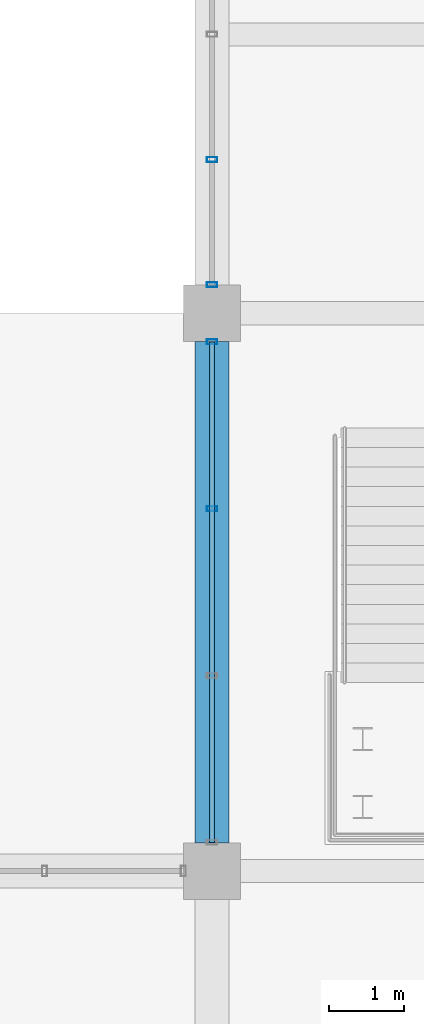
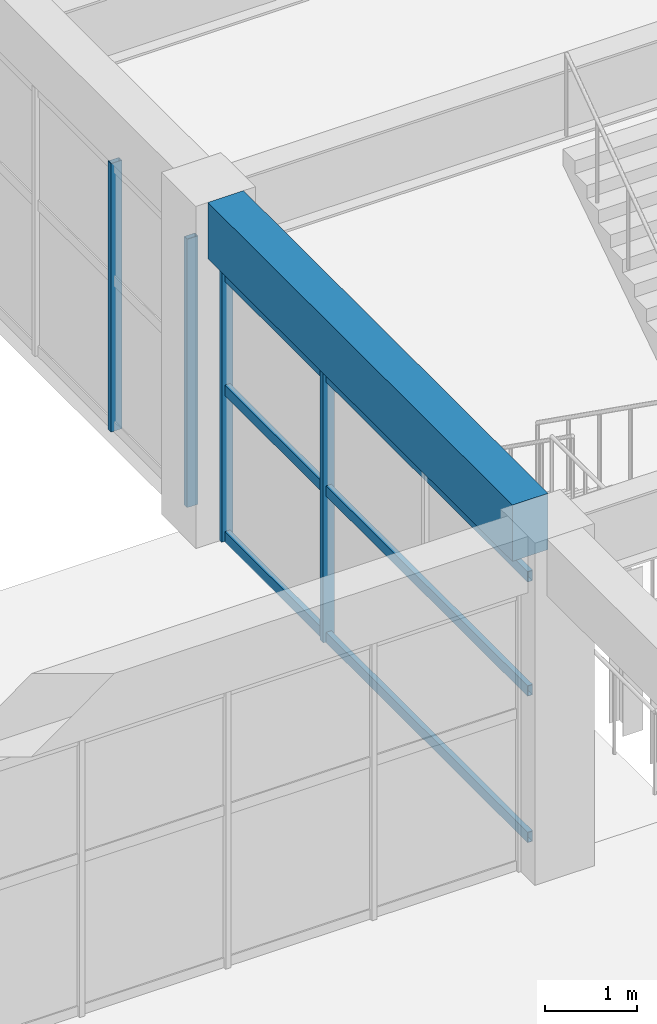
# One storey, part 46 of 161: 7 members, 1 beam, 2 elements without a shape of their own.
"""IFC4 building model written with IfcOpenShell, lengths in metres."""

from ifc_helpers import new_model, si_unit, direction, frame, origin, origin_2d, place, context, subcontext, project, spatial, rectangle, hollow_rectangle, extrude, material, material_profile, profile_set, type_object, element, aggregate, save


model = new_model("IFC4")

# Units and contexts
model_context = context("Model", 3, precision=1e-05, world=origin(), true_north=direction((0.0, 1.0)))
body_context = subcontext(model_context, "Body", "Model", "MODEL_VIEW")
ifc_project = project(units=[si_unit("LENGTHUNIT", "METRE"), si_unit("AREAUNIT", "SQUARE_METRE"), si_unit("VOLUMEUNIT", "CUBIC_METRE"), si_unit("PLANEANGLEUNIT", "RADIAN"), si_unit("MASSUNIT", "GRAM", prefix="KILO")], contexts=[model_context])

# Site, building, storey
site_placement = place(None, origin())
site = spatial("IfcSite", under=ifc_project, at=site_placement, CompositionType="ELEMENT")
building_placement = place(site_placement, origin())
building = spatial("IfcBuilding", under=site, at=building_placement, Name="Cimatlan Art Gallery", CompositionType="ELEMENT")
storey_placement = place(building_placement, frame((0.0, 0.0, 5.39990234375)))
storey = spatial("IfcBuildingStorey", under=building, at=storey_placement, Name="L01", CompositionType="ELEMENT", Elevation=5.39990234375)

# Beam
ifc_material_1 = material(Name="Concrete C40/50", Category="concrete")
ifc_material_profile_1 = material_profile(ifc_material_1, rectangle(XDim=0.449951171875, YDim=0.75, at=origin_2d()), Name="RC450X750")
ifc_profile_set_1 = profile_set([ifc_material_profile_1], Name="Concrete C40/50")
beam_type = type_object("IfcBeamType", Name="BM-RC-450X750", PredefinedType="BEAM", material=ifc_profile_set_1)
beam_placement = place(storey_placement, frame((74.89990234375, 39.074951171875, 4.18505859375), z_axis=(0.0, 1.0, 0.0), x_axis=(-1.0, 0.0, 0.0)))
element("IfcBeam", 1, at=beam_placement, inside=storey, type_object=beam_type, Name="BM-Y-L01-09-05", PredefinedType="BEAM", context=body_context, shape_type="SweptSolid", body=[
    extrude(rectangle(XDim=0.449951171875, YDim=0.75, at=origin_2d()), origin(), (0.0, 0.0, 1.0), 6.650146484375),
])

# Curtain wall, members
ifc_material_2 = material(Name="Anodised bronze unitised curtain wall")
curtain_wall_type_1 = type_object("IfcCurtainWallType", Name="CW-V-06642X03592-B3", PredefinedType="NOTDEFINED", material=ifc_material_2)
curtain_wall_1_placement = place(storey_placement, origin())
curtain_wall_1 = element("IfcCurtainWall", 2, at=curtain_wall_1_placement, inside=storey, type_object=curtain_wall_type_1, Name="CW-L01-09-05-W", PredefinedType="NOTDEFINED")
ifc_material_3 = material(Name="Anodised bronze aluminium 6063-T6", Category="aluminium")
ifc_material_profile_2 = material_profile(ifc_material_3, hollow_rectangle(XDim=0.06494140625, YDim=0.139892578125, WallThickness=0.00390625, at=origin_2d()), Name="ALU65X140X4")
ifc_profile_set_2 = profile_set([ifc_material_profile_2], Name="Anodised bronze aluminium 6063-T6")
member_type_1 = type_object("IfcMemberType", Name="CW-MUL-140", PredefinedType="MULLION", material=ifc_profile_set_2)
member_1_placement = place(storey_placement, frame((74.89990234375, 43.507080078125, 0.0), z_axis=(0.0, 0.0, 1.0), x_axis=(0.0, 1.0, 0.0)))
member_1 = element("IfcMember", 3, at=member_1_placement, type_object=member_type_1, Name="CW-L01-09-05-W-M3", PredefinedType="MULLION", context=body_context, shape_type="SweptSolid", body=[
    extrude(hollow_rectangle(XDim=0.06494140625, YDim=0.139892578125, WallThickness=0.00390625, at=origin_2d()), origin(), (0.0, 0.0, 1.0), 3.592041015625),
])
member_2_placement = place(storey_placement, frame((74.89990234375, 45.720947265625, 0.0), z_axis=(0.0, 0.0, 1.0), x_axis=(0.0, 1.0, 0.0)))
member_2 = element("IfcMember", 4, at=member_2_placement, type_object=member_type_1, Name="CW-L01-09-05-W-M4", PredefinedType="MULLION", context=body_context, shape_type="SweptSolid", body=[
    extrude(hollow_rectangle(XDim=0.06494140625, YDim=0.139892578125, WallThickness=0.00390625, at=origin_2d()), origin(), (0.0, 0.0, 1.0), 3.592041015625),
])

curtain_wall_type_2 = type_object("IfcCurtainWallType", Name="CW-V-06642X03577-B4", PredefinedType="NOTDEFINED", material=ifc_material_2)
curtain_wall_2_placement = place(storey_placement, origin())
curtain_wall_2 = element("IfcCurtainWall", 5, at=curtain_wall_2_placement, inside=storey, type_object=curtain_wall_type_2, Name="CW-L01-09-06-W", PredefinedType="NOTDEFINED")
member_3_placement = place(storey_placement, frame((74.89990234375, 46.47900390625, 0.0), z_axis=(0.0, 0.0, 1.0), x_axis=(0.0, 1.0, 0.0)))
member_3 = element("IfcMember", 6, at=member_3_placement, type_object=member_type_1, Name="CW-L01-09-06-W-M1", PredefinedType="MULLION", context=body_context, shape_type="SweptSolid", body=[
    extrude(hollow_rectangle(XDim=0.06494140625, YDim=0.139892578125, WallThickness=0.00390625, at=origin_2d()), origin(), (0.0, 0.0, 1.0), 3.5771484375),
])
member_4_placement = place(storey_placement, frame((74.89990234375, 48.139404296875, 0.0), z_axis=(0.0, 0.0, 1.0), x_axis=(0.0, 1.0, 0.0)))
member_4 = element("IfcMember", 7, at=member_4_placement, type_object=member_type_1, Name="CW-L01-09-06-W-M2", PredefinedType="MULLION", context=body_context, shape_type="SweptSolid", body=[
    extrude(hollow_rectangle(XDim=0.06494140625, YDim=0.139892578125, WallThickness=0.00390625, at=origin_2d()), origin(), (0.0, 0.0, 1.0), 3.5771484375),
])
aggregate(curtain_wall_2, [member_3, member_4])

# Member
ifc_material_profile_3 = material_profile(ifc_material_3, hollow_rectangle(XDim=0.06494140625, YDim=0.139892578125, WallThickness=0.00390625, at=origin_2d()), Name="ALU65X140X4")
ifc_profile_set_3 = profile_set([ifc_material_profile_3], Name="Anodised bronze aluminium 6063-T6")
member_type_2 = type_object("IfcMemberType", Name="CW-TRN-140", PredefinedType="USERDEFINED", material=ifc_profile_set_3)
member_5_placement = place(storey_placement, frame((74.89990234375, 39.0791015625, 0.06005859375), z_axis=(0.0, 1.0, 0.0), x_axis=(-1.0, 0.0, 0.0)))
member_5 = element("IfcMember", 8, at=member_5_placement, type_object=member_type_2, Name="CW-L01-09-05-W-T1", ObjectType="TRANSOM", PredefinedType="USERDEFINED", context=body_context, shape_type="SweptSolid", body=[
    extrude(hollow_rectangle(XDim=0.06494140625, YDim=0.139892578125, WallThickness=0.00390625, at=origin_2d()), origin(), (0.0, 0.0, 1.0), 6.641845703125),
])

member_6_placement = place(storey_placement, frame((74.89990234375, 39.0791015625, 2.01171875), z_axis=(0.0, 1.0, 0.0), x_axis=(-1.0, 0.0, 0.0)))
member_6 = element("IfcMember", 9, at=member_6_placement, type_object=member_type_2, Name="CW-L01-09-05-W-T2", ObjectType="TRANSOM", PredefinedType="USERDEFINED", context=body_context, shape_type="SweptSolid", body=[
    extrude(hollow_rectangle(XDim=0.06494140625, YDim=0.139892578125, WallThickness=0.00390625, at=origin_2d()), origin(), (0.0, 0.0, 1.0), 6.641845703125),
])

member_7_placement = place(storey_placement, frame((74.89990234375, 39.0791015625, 3.531982421875), z_axis=(0.0, 1.0, 0.0), x_axis=(-1.0, 0.0, 0.0)))
member_7 = element("IfcMember", 10, at=member_7_placement, type_object=member_type_2, Name="CW-L01-09-05-W-T3", ObjectType="TRANSOM", PredefinedType="USERDEFINED", context=body_context, shape_type="SweptSolid", body=[
    extrude(hollow_rectangle(XDim=0.06494140625, YDim=0.139892578125, WallThickness=0.00390625, at=origin_2d()), origin(), (0.0, 0.0, 1.0), 6.641845703125),
])

aggregate(curtain_wall_1, [member_1, member_2, member_5, member_6, member_7])

save(model, "model.ifc")
